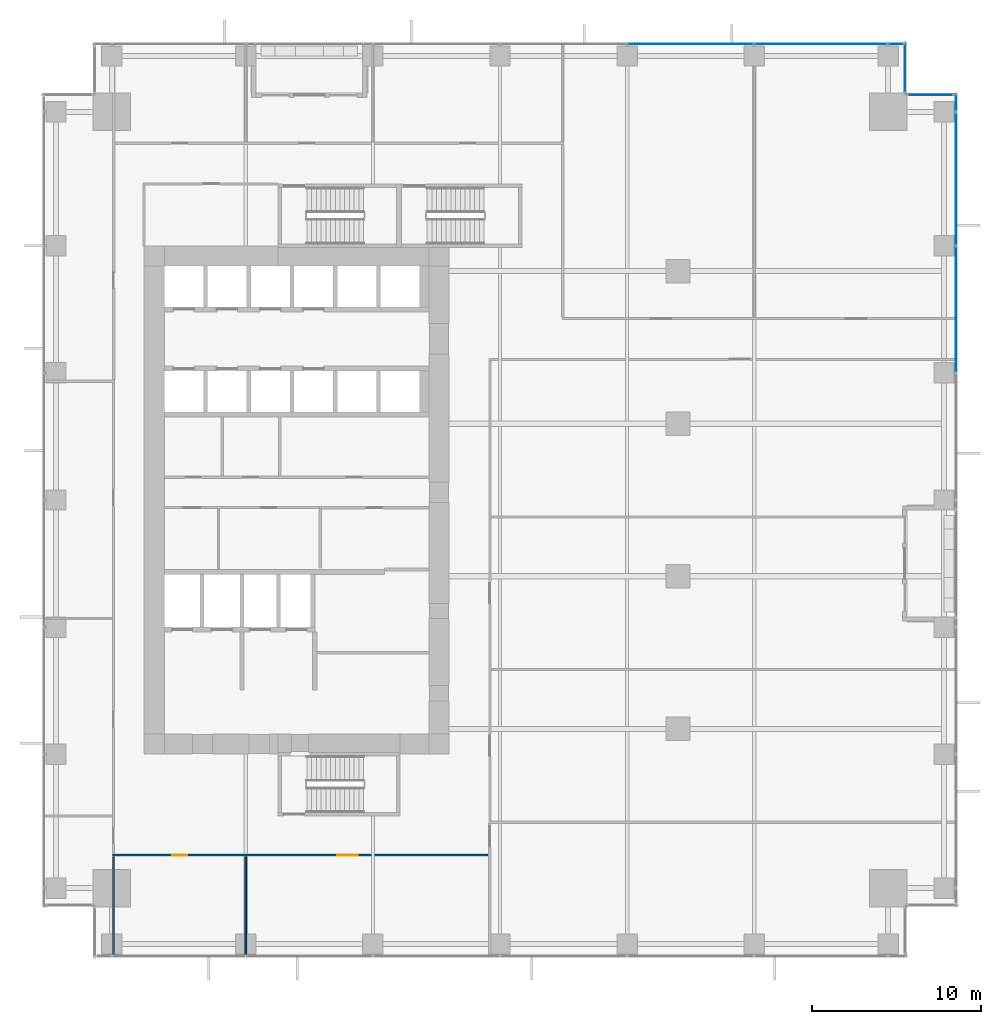
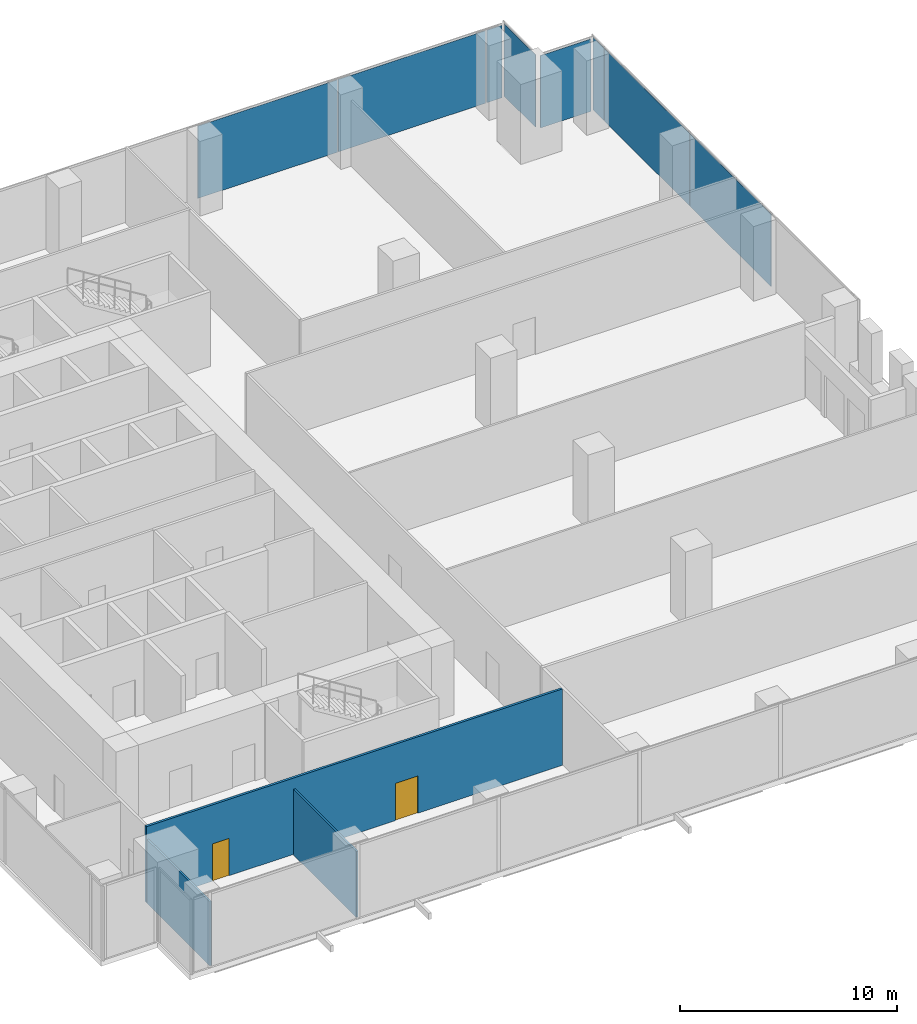
# One storey, part 25 of 32: 8 plates, 3 walls, 2 doors, 2 openings, 4 elements without a shape of their own.
"""IFC4 building model written with IfcOpenShell, lengths in metres."""

from ifc_helpers import new_model, si_unit, direction, frame, frame_2d, origin, origin_2d, place, context, subcontext, project, spatial, rectangle, extrude, source, transform, mapped, material, layer, layer_set, type_object, element, fill, aggregate, save


model = new_model("IFC4")

# Units and contexts
model_context = context("Model", 3, precision=1e-05, world=origin(), true_north=direction((0.0, 1.0)))
body_context = subcontext(model_context, "Body", "Model", "MODEL_VIEW")
ifc_project = project(units=[si_unit("LENGTHUNIT", "METRE"), si_unit("AREAUNIT", "SQUARE_METRE"), si_unit("VOLUMEUNIT", "CUBIC_METRE"), si_unit("PLANEANGLEUNIT", "RADIAN"), si_unit("MASSUNIT", "GRAM", prefix="KILO")], contexts=[model_context])

# Site, building, storey
site_placement = place(None, origin())
site = spatial("IfcSite", under=ifc_project, at=site_placement, CompositionType="ELEMENT")
building_placement = place(site_placement, origin())
building = spatial("IfcBuilding", under=site, at=building_placement, Name="Khomas Fold Tower", CompositionType="ELEMENT")
storey_placement = place(building_placement, frame((0.0, 0.0, 42.0)))
storey = spatial("IfcBuildingStorey", under=building, at=storey_placement, Name="L08", CompositionType="ELEMENT", Elevation=42.0)

# Curtain wall, plate
ifc_material_1 = material(Name="Aluminium framed double glazing", Category="aluminium")
curtain_wall_type = type_object("IfcCurtainWallType", Name="SK-Unitised clear-glass wall, growing floors CW1", PredefinedType="NOTDEFINED", material=ifc_material_1)
curtain_wall_1_placement = place(storey_placement, origin())
curtain_wall_1 = element("IfcCurtainWall", 1, at=curtain_wall_1_placement, inside=storey, type_object=curtain_wall_type, Name="CW1 run L08 06-0", PredefinedType="NOTDEFINED")
ifc_material_2 = material(Name="Clear double glazed unit")
ifc_layer_1 = layer(ifc_material_2, 0.031982421875)
ifc_layer_set_1 = layer_set([ifc_layer_1], Name="Clear double glazed unit")
plate_type = type_object("IfcPlateType", Name="SK-Unitised clear-glass wall, growing floors glass panel CW1-P", PredefinedType="CURTAIN_PANEL", material=ifc_layer_set_1)
shared_shape_1 = source(origin(), body_context, "Body", "SweptSolid", [
    extrude(rectangle(XDim=0.81005859375, YDim=0.031982421875, at=origin_2d()), origin(), (0.0, 0.0, 1.0), 4.080078125),
])
plate_1_placement = place(storey_placement, frame((50.3349609375, 53.89990234375, 0.0), z_axis=(0.0, 0.0, 1.0), x_axis=(-1.0, 0.0, 0.0)))
plate_1 = element("IfcPlate", 2, at=plate_1_placement, type_object=plate_type, Name="CW1 glass panel 1", PredefinedType="CURTAIN_PANEL", context=body_context, shape_type="MappedRepresentation", body=[
    mapped(shared_shape_1, transform((0.0, 0.0, 0.0))),
])

curtain_wall_2_placement = place(storey_placement, origin())
curtain_wall_2 = element("IfcCurtainWall", 3, at=curtain_wall_2_placement, inside=storey, type_object=curtain_wall_type, Name="CW1 run L08 03-1", PredefinedType="NOTDEFINED")
shared_shape_2 = source(origin(), body_context, "Body", "SweptSolid", [
    extrude(rectangle(XDim=7.840087890625, YDim=0.031982421875, at=origin_2d()), origin(), (0.0, 0.0, 1.0), 4.080078125),
])
plate_2_placement = place(storey_placement, frame((53.89990234375, 45.949951171875, 0.0), z_axis=(0.0, 0.0, 1.0), x_axis=(0.0, 1.0, 0.0)))
plate_2 = element("IfcPlate", 4, at=plate_2_placement, type_object=plate_type, Name="CW1 glass panel 4", PredefinedType="CURTAIN_PANEL", context=body_context, shape_type="MappedRepresentation", body=[
    mapped(shared_shape_2, transform((0.0, 0.0, 0.0))),
])

# Plate
plate_3_placement = place(storey_placement, frame((45.949951171875, 53.89990234375, 0.0), z_axis=(0.0, 0.0, 1.0), x_axis=(-1.0, 0.0, 0.0)))
plate_3 = element("IfcPlate", 5, at=plate_3_placement, type_object=plate_type, Name="CW1 glass panel 2", PredefinedType="CURTAIN_PANEL", context=body_context, shape_type="MappedRepresentation", body=[
    mapped(shared_shape_2, transform((0.0, 0.0, 0.0))),
])

shared_shape_3 = source(origin(), body_context, "Body", "SweptSolid", [
    extrude(rectangle(XDim=7.43994140625, YDim=0.031982421875, at=origin_2d()), origin(), (0.0, 0.0, 1.0), 4.080078125),
])
plate_4_placement = place(storey_placement, frame((53.89990234375, 38.25, 0.0), z_axis=(0.0, 0.0, 1.0), x_axis=(0.0, 1.0, 0.0)))
plate_4 = element("IfcPlate", 6, at=plate_4_placement, type_object=plate_type, Name="CW1 glass panel 3", PredefinedType="CURTAIN_PANEL", context=body_context, shape_type="MappedRepresentation", body=[
    mapped(shared_shape_3, transform((0.0, 0.0, 0.0))),
])

plate_5_placement = place(storey_placement, frame((38.25, 53.89990234375, 0.0), z_axis=(0.0, 0.0, 1.0), x_axis=(-1.0, 0.0, 0.0)))
plate_5 = element("IfcPlate", 7, at=plate_5_placement, type_object=plate_type, Name="CW1 glass panel 3", PredefinedType="CURTAIN_PANEL", context=body_context, shape_type="MappedRepresentation", body=[
    mapped(shared_shape_3, transform((0.0, 0.0, 0.0))),
])

aggregate(curtain_wall_1, [plate_1, plate_3, plate_5])

shared_shape_4 = source(origin(), body_context, "Body", "SweptSolid", [
    extrude(rectangle(XDim=1.010009765625, YDim=0.031982421875, at=origin_2d()), origin(), (0.0, 0.0, 1.0), 4.080078125),
])
plate_6_placement = place(storey_placement, frame((53.89990234375, 50.43505859375, 0.0), z_axis=(0.0, 0.0, 1.0), x_axis=(0.0, 1.0, 0.0)))
plate_6 = element("IfcPlate", 8, at=plate_6_placement, type_object=plate_type, Name="CW1 glass panel 5", PredefinedType="CURTAIN_PANEL", context=body_context, shape_type="MappedRepresentation", body=[
    mapped(shared_shape_4, transform((0.0, 0.0, 0.0))),
])

aggregate(curtain_wall_2, [plate_4, plate_2, plate_6])

# Curtain wall, plate
curtain_wall_3_placement = place(storey_placement, origin())
curtain_wall_3 = element("IfcCurtainWall", 9, at=curtain_wall_3_placement, inside=storey, type_object=curtain_wall_type, Name="CW1 corner return L08 04", PredefinedType="NOTDEFINED")
shared_shape_5 = source(origin(), body_context, "Body", "SweptSolid", [
    extrude(rectangle(XDim=2.679931640625, YDim=0.031982421875, at=origin_2d()), origin(), (0.0, 0.0, 1.0), 4.080078125),
])
plate_7_placement = place(storey_placement, frame((52.39990234375, 50.89990234375, 0.0), z_axis=(0.0, 0.0, 1.0), x_axis=(-1.0, 0.0, 0.0)))
plate_7 = element("IfcPlate", 10, at=plate_7_placement, type_object=plate_type, Name="CW1 glass panel 1", PredefinedType="CURTAIN_PANEL", context=body_context, shape_type="MappedRepresentation", body=[
    mapped(shared_shape_5, transform((0.0, 0.0, 0.0))),
])
aggregate(curtain_wall_3, [plate_7])

curtain_wall_4_placement = place(storey_placement, origin())
curtain_wall_4 = element("IfcCurtainWall", 11, at=curtain_wall_4_placement, inside=storey, type_object=curtain_wall_type, Name="CW1 corner return L08 05", PredefinedType="NOTDEFINED")
shared_shape_6 = source(origin(), body_context, "Body", "SweptSolid", [
    extrude(rectangle(XDim=2.8798828125, YDim=0.031982421875, at=origin_2d()), origin(), (0.0, 0.0, 1.0), 4.080078125),
])
plate_8_placement = place(storey_placement, frame((50.89990234375, 52.5, 0.0), z_axis=(0.0, 0.0, 1.0), x_axis=(0.0, 1.0, 0.0)))
plate_8 = element("IfcPlate", 12, at=plate_8_placement, type_object=plate_type, Name="CW1 glass panel 1", PredefinedType="CURTAIN_PANEL", context=body_context, shape_type="MappedRepresentation", body=[
    mapped(shared_shape_6, transform((0.0, 0.0, 0.0))),
])
aggregate(curtain_wall_4, [plate_8])

# Walls
ifc_material_3 = material(Name="Plasterboard partition")
ifc_layer_2 = layer(ifc_material_3, 0.10009765625)
ifc_layer_set_2 = layer_set([ifc_layer_2], Name="Plasterboard partition")
wall_type_1 = type_object("IfcWallType", Name="Partition PW1 100", PredefinedType="PARTITIONING", material=ifc_layer_set_2)
shared_shape_7 = source(origin(), body_context, "Body", "SweptSolid", [
    extrude(rectangle(XDim=5.800048828125, YDim=0.10009765625, at=frame_2d((2.89990234375, 0.0))), origin(), (0.0, 0.0, 1.0), 3.60009765625),
])
wall_1_placement = place(storey_placement, frame((4.199951171875, 0.14990234375, 0.0), z_axis=(0.0, 0.0, 1.0), x_axis=(0.0, 1.0, 0.0)))
element("IfcWall", 13, at=wall_1_placement, inside=storey, type_object=wall_type_1, Name="Partition", PredefinedType="PARTITIONING", context=body_context, shape_type="MappedRepresentation", body=[
    mapped(shared_shape_7, transform((0.0, 0.0, 0.0))),
])
shared_shape_8 = source(origin(), body_context, "Body", "SweptSolid", [
    extrude(rectangle(XDim=5.800048828125, YDim=0.10009765625, at=frame_2d((2.89990234375, 0.0))), origin(), (0.0, 0.0, 1.0), 3.699951171875),
])
wall_2_placement = place(storey_placement, frame((12.0, 0.14990234375, 0.0), z_axis=(0.0, 0.0, 1.0), x_axis=(0.0, 1.0, 0.0)))
element("IfcWall", 14, at=wall_2_placement, inside=storey, type_object=wall_type_1, Name="Partition", PredefinedType="PARTITIONING", context=body_context, shape_type="MappedRepresentation", body=[
    mapped(shared_shape_8, transform((0.0, 0.0, 0.0))),
])

# Wall, openings, doors
ifc_material_4 = material(Name="Plasterboard partition")
ifc_layer_3 = layer(ifc_material_4, 0.125)
ifc_layer_set_3 = layer_set([ifc_layer_3], Name="Plasterboard partition")
wall_type_2 = type_object("IfcWallType", Name="Partition PW2 125", PredefinedType="PARTITIONING", material=ifc_layer_set_3)
shared_shape_9 = source(origin(), body_context, "Body", "SweptSolid", [
    extrude(rectangle(XDim=22.150146484375, YDim=0.125, at=frame_2d((11.0751953125, 0.0))), origin(), (0.0, 0.0, 1.0), 4.300048828125),
])
wall_3_placement = place(storey_placement, frame((4.14990234375, 6.050048828125, 0.0), z_axis=(0.0, 0.0, 1.0), x_axis=(1.0, 0.0, 0.0)))
wall_3 = element("IfcWall", 15, at=wall_3_placement, inside=storey, type_object=wall_type_2, Name="Partition", PredefinedType="PARTITIONING", context=body_context, shape_type="MappedRepresentation", body=[
    mapped(shared_shape_9, transform((0.0, 0.0, 0.0))),
])
shared_shape_10 = source(origin(), body_context, "Body", "SweptSolid", [
    extrude(rectangle(XDim=0.89990234375, YDim=2.10009765625, at=frame_2d((0.449951171875, 1.050048828125))), frame((0.0, 0.072509765625, 0.0), z_axis=(0.0, -1.0, 0.0), x_axis=(1.0, 0.0, 0.0)), (0.0, 0.0, 1.0), 0.14501953125),
])
opening_1_placement = place(wall_3_placement, frame((3.5, 0.0, 0.0)))
opening_1 = element("IfcOpeningElement", 16, at=opening_1_placement, cuts=wall_3, Name="Opening 0007", PredefinedType="OPENING", context=body_context, shape_type="MappedRepresentation", body=[
    mapped(shared_shape_10, transform((0.0, 0.0, 0.0))),
])
shared_shape_11 = source(origin(), body_context, "Body", "SweptSolid", [
    extrude(rectangle(XDim=1.199951171875, YDim=2.10009765625, at=frame_2d((0.60009765625, 1.050048828125))), frame((0.0, 0.072509765625, 0.0), z_axis=(0.0, -1.0, 0.0), x_axis=(1.0, 0.0, 0.0)), (0.0, 0.0, 1.0), 0.14501953125),
])
opening_2_placement = place(wall_3_placement, frame((13.25, 0.0, 0.0)))
opening_2 = element("IfcOpeningElement", 17, at=opening_2_placement, cuts=wall_3, Name="Opening 0001", PredefinedType="OPENING", context=body_context, shape_type="MappedRepresentation", body=[
    mapped(shared_shape_11, transform((0.0, 0.0, 0.0))),
])
ifc_material_5 = material(Name="Timber door leaf", Category="wood")
door_type_1 = type_object("IfcDoorType", Name="Door 900x2100 left-hand", OperationType="SINGLE_SWING_LEFT", PredefinedType="DOOR", material=ifc_material_5)
shared_shape_12 = source(origin(), body_context, "Body", "SweptSolid", [
    extrude(rectangle(XDim=0.89990234375, YDim=2.10009765625, at=frame_2d((0.449951171875, 1.050048828125))), frame((0.0, 0.02490234375, 0.0), z_axis=(0.0, -1.0, 0.0), x_axis=(1.0, 0.0, 0.0)), (0.0, 0.0, 1.0), 0.050048828125),
])
door_1_placement = place(opening_1_placement, origin())
door_1 = element("IfcDoor", 18, at=door_1_placement, inside=storey, type_object=door_type_1, Name="Door", OperationType="SINGLE_SWING_LEFT", OverallHeight=2.10009765625, OverallWidth=0.89990234375, PredefinedType="DOOR", context=body_context, shape_type="MappedRepresentation", body=[
    mapped(shared_shape_12, transform((0.0, 0.0, 0.0))),
])
fill(opening_1, door_1)
ifc_material_6 = material(Name="Timber door leaf", Category="wood")
door_type_2 = type_object("IfcDoorType", Name="Door 1200x2100 right-hand", OperationType="SINGLE_SWING_RIGHT", PredefinedType="DOOR", material=ifc_material_6)
shared_shape_13 = source(origin(), body_context, "Body", "SweptSolid", [
    extrude(rectangle(XDim=1.199951171875, YDim=2.10009765625, at=frame_2d((0.60009765625, 1.050048828125))), frame((0.0, 0.02490234375, 0.0), z_axis=(0.0, -1.0, 0.0), x_axis=(1.0, 0.0, 0.0)), (0.0, 0.0, 1.0), 0.050048828125),
])
door_2_placement = place(opening_2_placement, origin())
door_2 = element("IfcDoor", 19, at=door_2_placement, inside=storey, type_object=door_type_2, Name="Door", OperationType="SINGLE_SWING_RIGHT", OverallHeight=2.10009765625, OverallWidth=1.199951171875, PredefinedType="DOOR", context=body_context, shape_type="MappedRepresentation", body=[
    mapped(shared_shape_13, transform((0.0, 0.0, 0.0))),
])
fill(opening_2, door_2)

save(model, "model.ifc")
